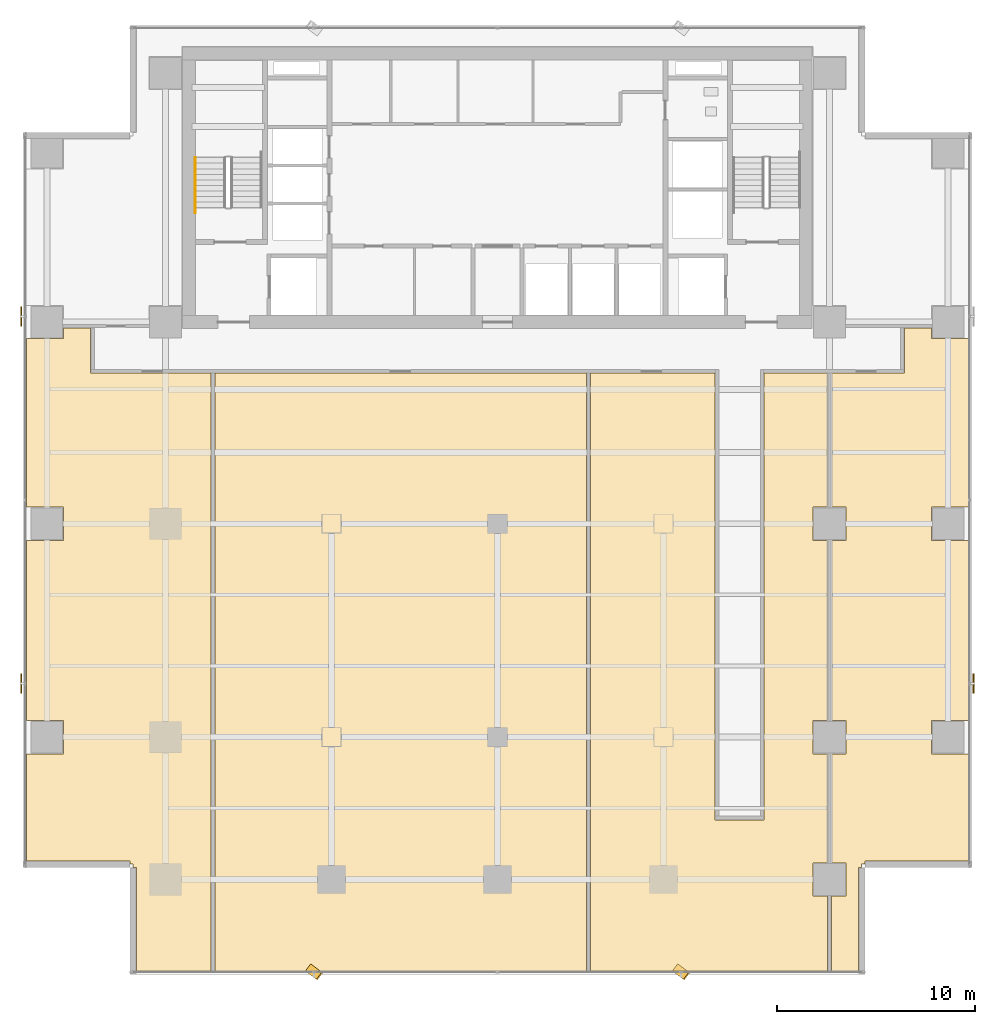
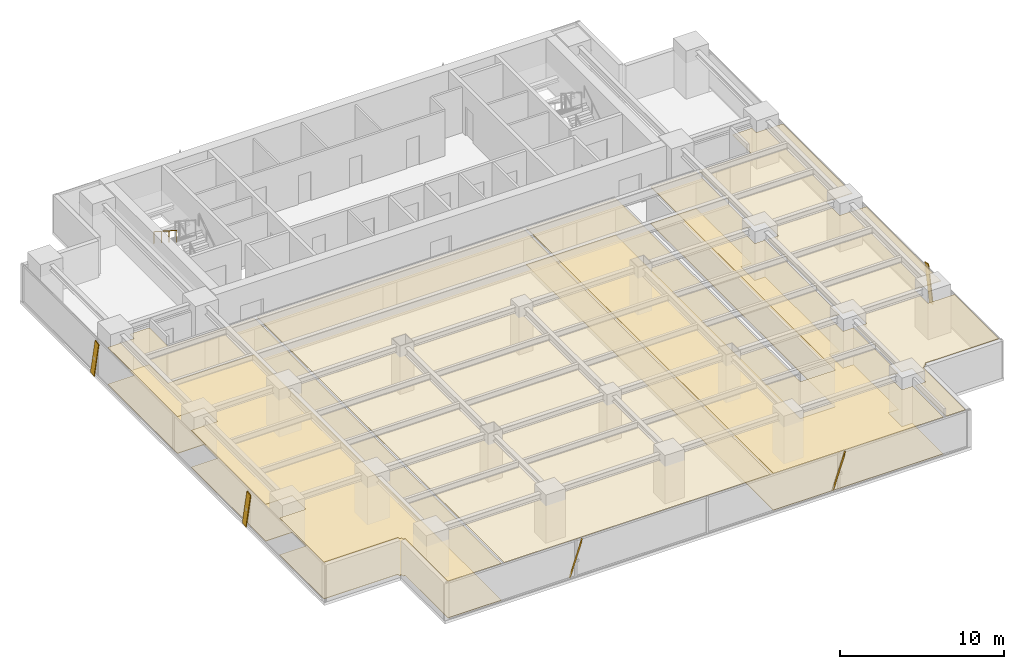
# One storey, part 23 of 27: 6 coverings, 5 shading devices, 1 railing.
"""IFC4 building model written with IfcOpenShell, lengths in metres."""

from ifc_helpers import new_model, si_unit, direction, frame, origin, origin_2d, place, context, subcontext, project, spatial, polyline, rectangle, outline, extrude, source, transform, mapped, material, layer, layer_set, material_profile, profile_set, type_object, element, save


model = new_model("IFC4")

# Units and contexts
model_context = context("Model", 3, precision=1e-05, world=origin(), true_north=direction((0.0, 1.0)))
body_context = subcontext(model_context, "Body", "Model", "MODEL_VIEW")
ifc_project = project(units=[si_unit("LENGTHUNIT", "METRE"), si_unit("AREAUNIT", "SQUARE_METRE"), si_unit("VOLUMEUNIT", "CUBIC_METRE"), si_unit("PLANEANGLEUNIT", "RADIAN"), si_unit("MASSUNIT", "GRAM", prefix="KILO")], contexts=[model_context])

# Site, building, storey
site_placement = place(None, origin())
site = spatial("IfcSite", under=ifc_project, at=site_placement, CompositionType="ELEMENT")
building_placement = place(site_placement, origin())
building = spatial("IfcBuilding", under=site, at=building_placement, Name="Sumidabori Civic Tower", CompositionType="ELEMENT")
storey_placement = place(building_placement, frame((0.0, 0.0, 160.39990234375)))
storey = spatial("IfcBuildingStorey", under=building, at=storey_placement, Name="L41", CompositionType="ELEMENT", Elevation=160.39990234375)

# Coverings
ifc_material_1 = material(Name="Perforated Timber Acoustic Ceiling", Category="wood")
ifc_layer_1 = layer(ifc_material_1, 0.044921875, Name="Perforated Timber Acoustic Ceiling")
ifc_layer_set_1 = layer_set([ifc_layer_1], Name="Perforated Timber Acoustic Ceiling")
covering_type_1 = type_object("IfcCoveringType", Name="CV-CEIL-AC2", PredefinedType="CEILING", material=ifc_layer_set_1)
covering_1_placement = place(storey_placement, frame((0.0, 0.0, 2.72998046875)))
element("IfcCovering", 1, at=covering_1_placement, inside=storey, type_object=covering_type_1, Name="Room Acoustic Ceiling L41-02", PredefinedType="CEILING", context=body_context, shape_type="SweptSolid", body=[
    extrude(outline(polyline([(18.27197265625, -22.6298828125), (16.902587890625, -22.6298828125), (16.902587890625, -18.840087890625), (17.639892578125, -18.840087890625), (17.639892578125, -17.159912109375), (16.902587890625, -17.159912109375), (16.902587890625, -11.639892578125), (17.639892578125, -11.639892578125), (17.639892578125, -9.9599609375), (16.902587890625, -9.9599609375), (16.902587890625, -0.840087890625), (17.639892578125, -0.840087890625), (17.639892578125, 0.840087890625), (16.902587890625, 0.840087890625), (16.902587890625, 7.614990234375), (20.5673828125, 7.614990234375), (20.5849609375, 7.619384765625), (20.5849609375, 9.8974609375), (21.9599609375, 9.8974609375), (21.9599609375, 9.360107421875), (23.830078125, 9.360107421875), (23.830078125, 0.840087890625), (21.9599609375, 0.840087890625), (21.9599609375, -0.840087890625), (23.830078125, -0.840087890625), (23.830078125, -9.9599609375), (21.9599609375, -9.9599609375), (21.9599609375, -11.639892578125), (23.830078125, -11.639892578125), (23.830078125, -17.072021484375), (18.592041015625, -17.072021484375), (18.592041015625, -17.22998046875), (18.429931640625, -17.22998046875), (18.429931640625, -17.39208984375), (18.27197265625, -17.39208984375), (18.27197265625, -22.6298828125)])), origin(), (0.0, 0.0, 1.0), 0.045166015625),
])
covering_2_placement = place(storey_placement, frame((0.0, 0.0, 2.72998046875)))
element("IfcCovering", 2, at=covering_2_placement, inside=storey, type_object=covering_type_1, Name="Room Acoustic Ceiling L41-03", PredefinedType="CEILING", context=body_context, shape_type="SweptSolid", body=[
    extrude(outline(polyline([(-23.830078125, -0.840087890625), (-21.9599609375, -0.840087890625), (-21.9599609375, 0.840087890625), (-23.830078125, 0.840087890625), (-23.830078125, 9.360107421875), (-21.9599609375, 9.360107421875), (-21.9599609375, 9.8974609375), (-20.5849609375, 9.8974609375), (-20.5849609375, 7.619384765625), (-20.5673828125, 7.614990234375), (-14.50244140625, 7.614990234375), (-14.50244140625, -22.6298828125), (-18.27197265625, -22.6298828125), (-18.27197265625, -17.39208984375), (-18.429931640625, -17.39208984375), (-18.429931640625, -17.22998046875), (-18.592041015625, -17.22998046875), (-18.592041015625, -17.072021484375), (-23.830078125, -17.072021484375), (-23.830078125, -11.639892578125), (-21.9599609375, -11.639892578125), (-21.9599609375, -9.9599609375), (-23.830078125, -9.9599609375), (-23.830078125, -0.840087890625)])), origin(), (0.0, 0.0, 1.0), 0.045166015625),
])
covering_3_placement = place(storey_placement, frame((0.0, 0.0, 2.72998046875)))
element("IfcCovering", 3, at=covering_3_placement, inside=storey, type_object=covering_type_1, Name="Room Acoustic Ceiling L41-04", PredefinedType="CEILING", context=body_context, shape_type="SweptSolid", body=[
    extrude(outline(polyline([(-14.297607421875, 7.614990234375), (4.49755859375, 7.614990234375), (4.49755859375, -22.6298828125), (-14.297607421875, -22.6298828125), (-14.297607421875, 7.614990234375)])), origin(), (0.0, 0.0, 1.0), 0.045166015625),
])
covering_4_placement = place(storey_placement, frame((0.0, 0.0, 2.72998046875)))
element("IfcCovering", 4, at=covering_4_placement, inside=storey, type_object=covering_type_1, Name="Room Acoustic Ceiling L41-05", PredefinedType="CEILING", context=body_context, shape_type="SweptSolid", body=[
    extrude(outline(polyline([(4.702392578125, -22.6298828125), (4.702392578125, 7.614990234375), (11.014892578125, 7.614990234375), (11.014892578125, -14.985107421875), (13.485107421875, -14.985107421875), (13.485107421875, 7.614990234375), (16.697509765625, 7.614990234375), (16.697509765625, 0.840087890625), (15.9599609375, 0.840087890625), (15.9599609375, -0.840087890625), (16.697509765625, -0.840087890625), (16.697509765625, -9.9599609375), (15.9599609375, -9.9599609375), (15.9599609375, -11.639892578125), (16.697509765625, -11.639892578125), (16.697509765625, -17.159912109375), (15.9599609375, -17.159912109375), (15.9599609375, -18.840087890625), (16.697509765625, -18.840087890625), (16.697509765625, -22.6298828125), (4.702392578125, -22.6298828125)])), origin(), (0.0, 0.0, 1.0), 0.045166015625),
])
ifc_material_2 = material(Name="Honed Terrazzo Tile Flooring")
ifc_layer_2 = layer(ifc_material_2, 0.030029296875, Name="Honed Terrazzo Tile Flooring")
ifc_layer_set_2 = layer_set([ifc_layer_2], Name="Honed Terrazzo Tile Flooring")
covering_type_2 = type_object("IfcCoveringType", Name="CV-FLR-TER", PredefinedType="FLOORING", material=ifc_layer_set_2)
covering_5_placement = place(storey_placement, origin())
element("IfcCovering", 5, at=covering_5_placement, inside=storey, type_object=covering_type_2, Name="Room Terrazzo Floor L41-03", PredefinedType="FLOORING", context=body_context, shape_type="SweptSolid", body=[
    extrude(outline(polyline([(-23.830078125, -0.840087890625), (-21.9599609375, -0.840087890625), (-21.9599609375, 0.840087890625), (-23.830078125, 0.840087890625), (-23.830078125, 9.360107421875), (-21.9599609375, 9.360107421875), (-21.9599609375, 9.8974609375), (-20.5849609375, 9.8974609375), (-20.5849609375, 7.619384765625), (-20.5673828125, 7.614990234375), (-14.50244140625, 7.614990234375), (-14.50244140625, -22.6298828125), (-18.27197265625, -22.6298828125), (-18.27197265625, -17.39208984375), (-18.429931640625, -17.39208984375), (-18.429931640625, -17.22998046875), (-18.592041015625, -17.22998046875), (-18.592041015625, -17.072021484375), (-23.830078125, -17.072021484375), (-23.830078125, -11.639892578125), (-21.9599609375, -11.639892578125), (-21.9599609375, -9.9599609375), (-23.830078125, -9.9599609375), (-23.830078125, -0.840087890625)])), origin(), (0.0, 0.0, 1.0), 0.030029296875),
])
covering_6_placement = place(storey_placement, origin())
element("IfcCovering", 6, at=covering_6_placement, inside=storey, type_object=covering_type_2, Name="Room Terrazzo Floor L41-05", PredefinedType="FLOORING", context=body_context, shape_type="SweptSolid", body=[
    extrude(outline(polyline([(4.702392578125, -22.6298828125), (4.702392578125, 7.614990234375), (11.014892578125, 7.614990234375), (11.014892578125, -14.985107421875), (13.485107421875, -14.985107421875), (13.485107421875, 7.614990234375), (16.697509765625, 7.614990234375), (16.697509765625, 0.840087890625), (15.9599609375, 0.840087890625), (15.9599609375, -0.840087890625), (16.697509765625, -0.840087890625), (16.697509765625, -9.9599609375), (15.9599609375, -9.9599609375), (15.9599609375, -11.639892578125), (16.697509765625, -11.639892578125), (16.697509765625, -17.159912109375), (15.9599609375, -17.159912109375), (15.9599609375, -18.840087890625), (16.697509765625, -18.840087890625), (16.697509765625, -22.6298828125), (4.702392578125, -22.6298828125)])), origin(), (0.0, 0.0, 1.0), 0.030029296875),
])

# Railing
ifc_material_3 = material(Name="Stainless Steel Hairline Finish", Category="steel")
railing_type = type_object("IfcRailingType", Name="RL-HANDRAIL", PredefinedType="HANDRAIL", material=ifc_material_3)
railing_placement = place(storey_placement, frame((-15.2900390625, 18.52001953125, 1.97998046875)))
element("IfcRailing", 7, at=railing_placement, inside=storey, type_object=railing_type, Name="L41 ST-1 stair handrail 2", PredefinedType="HANDRAIL", context=body_context, shape_type="SweptSolid", body=[
    extrude(rectangle(XDim=0.048095703125, YDim=0.048095703125, at=origin_2d()), frame((0.0, 0.0, 0.8759765625), z_axis=(0.0, -0.84064222762, 0.54159084662), x_axis=(1.0, 0.0, 0.0)), (0.0, 0.0, 1.0), 3.330810546875),
    extrude(rectangle(XDim=0.0419921875, YDim=0.0419921875, at=origin_2d()), origin(), (0.0, 0.0, 1.0), 0.851806640625),
    extrude(rectangle(XDim=0.0419921875, YDim=0.0419921875, at=origin_2d()), frame((0.0, -0.933349609375, 0.601318359375)), (0.0, 0.0, 1.0), 0.851806640625),
    extrude(rectangle(XDim=0.0419921875, YDim=0.0419921875, at=origin_2d()), frame((0.0, -1.86669921875, 1.20263671875)), (0.0, 0.0, 1.0), 0.851806640625),
    extrude(rectangle(XDim=0.0419921875, YDim=0.0419921875, at=origin_2d()), frame((0.0, -2.800048828125, 1.803955078125)), (0.0, 0.0, 1.0), 0.851806640625),
])

# Shading devices
ifc_material_4 = material(Name="Anodised Bronze Aluminium AW-6063-T6", Category="aluminium")
ifc_material_profile = material_profile(ifc_material_4, rectangle(XDim=0.06005859375, YDim=0.449951171875, at=origin_2d()), Name="BRONZE FIN 450x60")
ifc_profile_set = profile_set([ifc_material_profile], Name="Anodised Bronze Aluminium AW-6063-T6")
shading_device_type = type_object("IfcShadingDeviceType", Name="SH-FIN-450", PredefinedType="USERDEFINED", material=ifc_profile_set)
shared_shape_1 = source(origin(), body_context, "Body", "SweptSolid", [
    extrude(rectangle(XDim=0.06005859375, YDim=0.449951171875, at=origin_2d()), origin(), (0.0, 0.0, 1.0), 2.78955078125),
])
for number, where, z_axis, x_axis, name in (
    (8, (-9.56494140625, -22.469970703125, 0.02001953125), (0.20077712468, -0.150539082149, 0.968001307308), (0.774482065205, -0.580692742874, -0.250945151476), "Bronze Anodised Diagonal Fin L41-01"),
    (9, (9.0048828125, -22.469970703125, 0.02001953125), (0.20077712468, -0.150539082149, 0.968001307308), (0.774482065205, -0.580692742874, -0.250945151476), "Bronze Anodised Diagonal Fin L41-03"),
):
    element("IfcShadingDevice", number, at=place(storey_placement, frame(where, z_axis=z_axis, x_axis=x_axis)), inside=storey, type_object=shading_device_type, Name=name, ObjectType="FIN", PredefinedType="USERDEFINED", context=body_context, shape_type="MappedRepresentation", body=[
        mapped(shared_shape_1, transform((0.0, 0.0, 0.0), x_axis=(1.0, 0.0, 0.0), y_axis=(0.0, 1.0, 0.0), z_axis=(0.0, 0.0, 1.0), scale=1.0)),
    ])
shared_shape_2 = source(origin(), body_context, "Body", "SweptSolid", [
    extrude(rectangle(XDim=0.06005859375, YDim=0.449951171875, at=origin_2d()), origin(), (0.0, 0.0, 1.0), 2.757568359375),
])
for number, where, z_axis, x_axis, name in (
    (10, (24.090087890625, -8.364990234375, 0.02001953125), (0.0, 0.203091544008, 0.979159754459), (-1.0, 0.0, 0.0), "Bronze Anodised Diagonal Fin L41-01"),
    (11, (-24.090087890625, 10.764892578125, 0.02001953125), (0.0, -0.203006661687, 0.979177356412), (-1.0, 0.0, 0.0), "Bronze Anodised Diagonal Fin L41-01"),
    (12, (-24.090087890625, -7.804931640625, 0.02001953125), (0.0, -0.203091544008, 0.979159754459), (-1.0, 0.0, 0.0), "Bronze Anodised Diagonal Fin L41-03"),
):
    element("IfcShadingDevice", number, at=place(storey_placement, frame(where, z_axis=z_axis, x_axis=x_axis)), inside=storey, type_object=shading_device_type, Name=name, ObjectType="FIN", PredefinedType="USERDEFINED", context=body_context, shape_type="MappedRepresentation", body=[
        mapped(shared_shape_2, transform((0.0, 0.0, 0.0), x_axis=(1.0, 0.0, 0.0), y_axis=(0.0, 1.0, 0.0), z_axis=(0.0, 0.0, 1.0), scale=1.0)),
    ])

save(model, "model.ifc")
